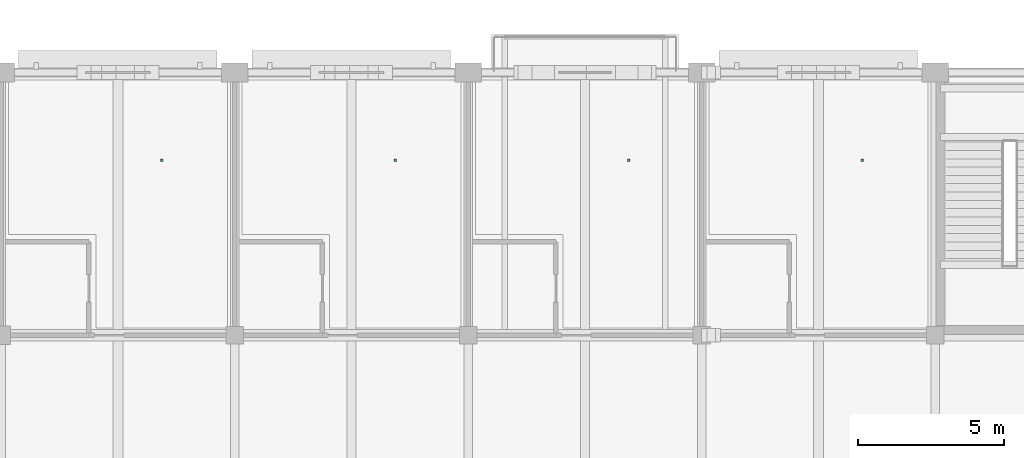
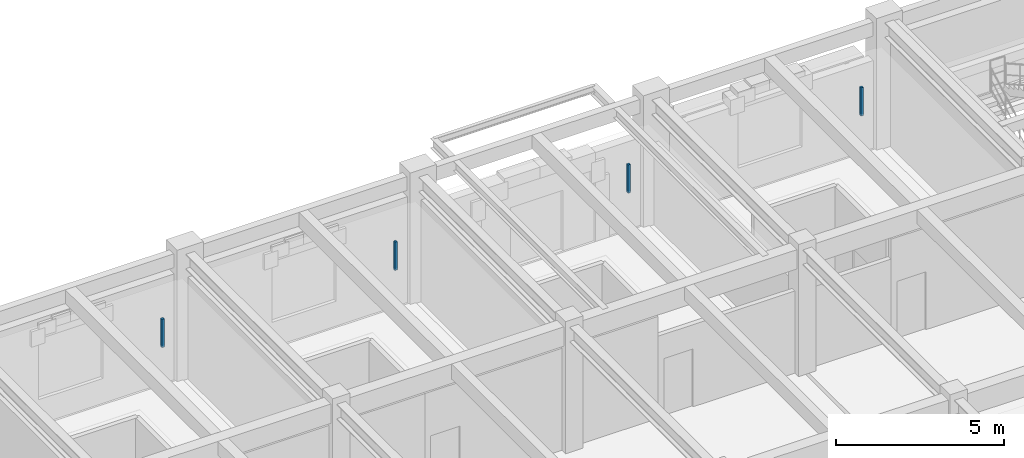
# One storey, part 125 of 144: 4 discrete accessories.
"""IFC4 building model written with IfcOpenShell, lengths in metres."""

from ifc_helpers import new_model, si_unit, direction, frame, origin, origin_2d, place, context, subcontext, project, spatial, rectangle, extrude, material, layer, layer_set, type_object, element, save


model = new_model("IFC4")

# Units and contexts
model_context = context("Model", 3, precision=1e-05, world=origin(), true_north=direction((0.0, 1.0)))
body_context = subcontext(model_context, "Body", "Model", "MODEL_VIEW")
ifc_project = project(units=[si_unit("LENGTHUNIT", "METRE"), si_unit("AREAUNIT", "SQUARE_METRE"), si_unit("VOLUMEUNIT", "CUBIC_METRE"), si_unit("PLANEANGLEUNIT", "RADIAN"), si_unit("MASSUNIT", "GRAM", prefix="KILO")], contexts=[model_context])

# Site, building, storey
site_placement = place(None, origin())
site = spatial("IfcSite", under=ifc_project, at=site_placement, CompositionType="ELEMENT")
building_placement = place(site_placement, origin())
building = spatial("IfcBuilding", under=site, at=building_placement, Name="Varnabhumi Central Station", CompositionType="ELEMENT")
storey_placement = place(building_placement, frame((0.0, 0.0, 4.800048828125)))
storey = spatial("IfcBuildingStorey", under=building, at=storey_placement, Name="L01", CompositionType="ELEMENT", Elevation=4.800048828125)

# Discrete accessories
ifc_material = material(Name="Structural steel E350", Category="steel")
ifc_layer = layer(ifc_material, 0.159912109375, Name="Structural steel E350", Category="steel")
ifc_layer_set = layer_set([ifc_layer], Name="Structural steel E350")
discrete_accessory_type = type_object("IfcDiscreteAccessoryType", Name="ACC-SHADE-BRKT", PredefinedType="BRACKET", material=ifc_layer_set)
for number, where, z_axis, x_axis, name in (
    (1, (101.5, 113.0, 3.64013671875), (0.0, 0.0, 1.0), (1.0, 0.0, 0.0), "Passenger Retiring Room 101 Ceiling Hanger"),
    (2, (109.5, 113.0, 3.64013671875), (0.0, 0.0, 1.0), (1.0, 0.0, 0.0), "Passenger Retiring Room 102 Ceiling Hanger"),
    (3, (117.5, 113.0, 3.64013671875), (0.0, 0.0, 1.0), (1.0, 0.0, 0.0), "Passenger Retiring Room 103 Ceiling Hanger"),
    (4, (125.5, 113.0, 3.64013671875), (0.0, 0.0, 1.0), (1.0, 0.0, 0.0), "Passenger Retiring Room 104 Ceiling Hanger"),
):
    element("IfcDiscreteAccessory", number, at=place(storey_placement, frame(where, z_axis=z_axis, x_axis=x_axis)), inside=storey, type_object=discrete_accessory_type, Name=name, PredefinedType="BRACKET", context=body_context, shape_type="SweptSolid", body=[
        extrude(rectangle(XDim=0.080078125, YDim=0.080078125, at=origin_2d()), origin(), (0.0, 0.0, 1.0), 1.030029296875),
    ])

save(model, "model.ifc")
